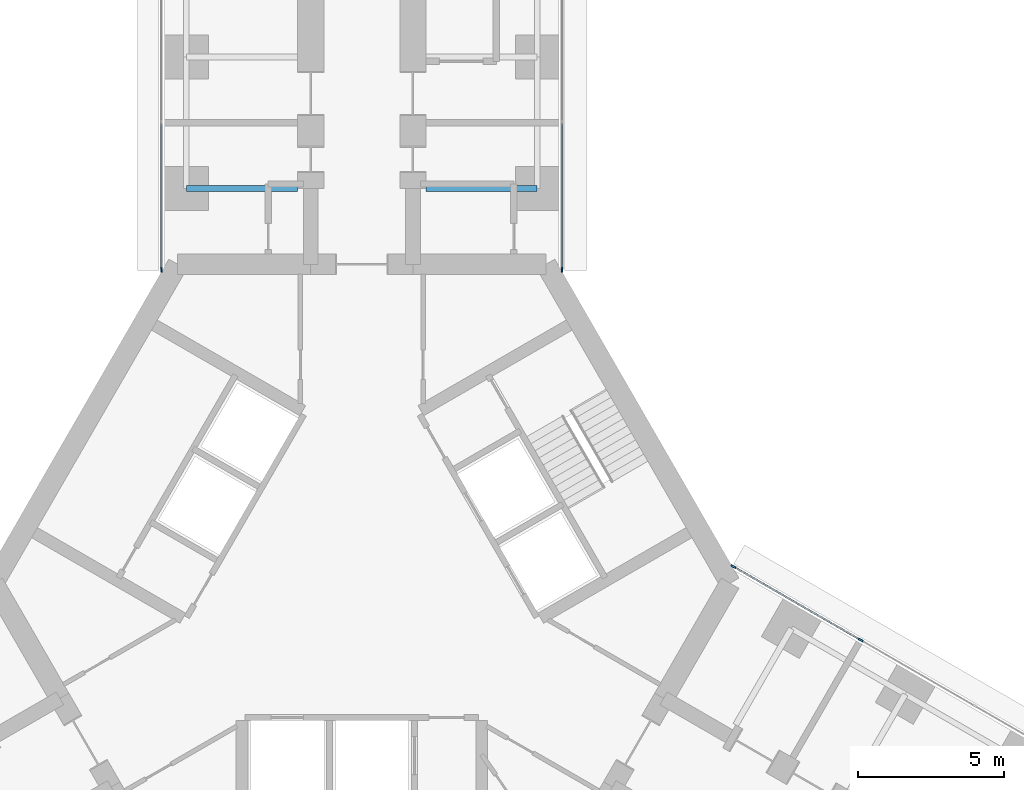
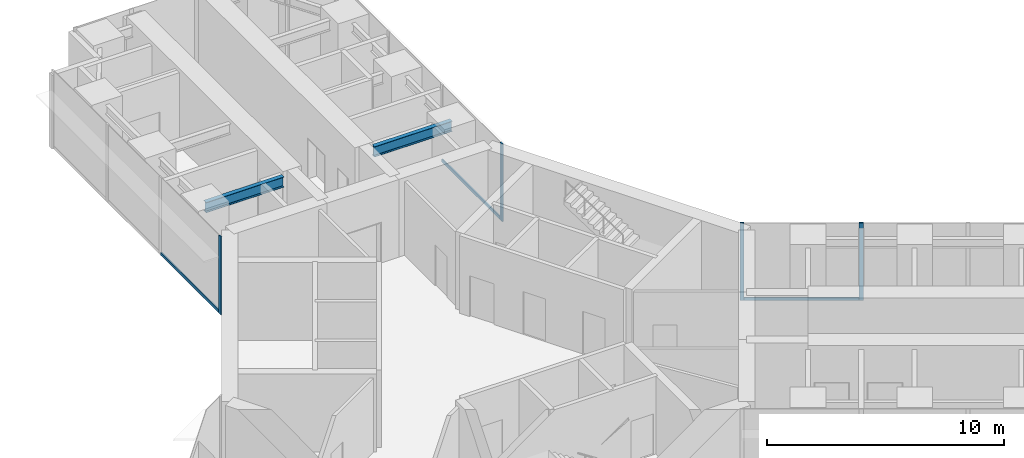
# One storey, part 11 of 22: 7 members, 2 beams, 3 elements without a shape of their own.
"""IFC4 building model written with IfcOpenShell, lengths in metres."""

import ifcopenshell
import ifcopenshell.guid

model = None  # the IFC model being written
_history = None  # IfcOwnerHistory: only IFC2X3 demands one
_inside = {}  # id of a spatial element -> (the spatial element, [elements in it])
_under = {}  # id of a project, library or spatial element -> (it, [spatial elements below it])
_declared = {}  # id of a project -> (the project, [libraries it declares])
_typed = {}  # id of a type object -> (the type object, [elements of that type])
_made_of = {}  # id of a material, layer set ... -> (it, [elements and type objects made of it])


def new_model(schema):
    """Start an empty IFC model of exactly this schema.

    Asked for "IFC4X3", IfcOpenShell would pick the latest addendum, in which some entities
    have other attributes; the version numbers below select the first issue.
    IFC2X3 requires an IfcOwnerHistory on every rooted entity: one is made here for all.
    """
    global model, _history
    if schema == "IFC4X3":
        model = ifcopenshell.file(schema_version=(4, 3, 0, 0))
    else:
        model = ifcopenshell.file(schema=schema)
    _inside.clear()
    _under.clear()
    _declared.clear()
    _typed.clear()
    _made_of.clear()
    _history = None
    if model.schema == "IFC2X3":
        org = make("IfcOrganization", Name="unknown")
        user = make(
            "IfcPersonAndOrganization",
            ThePerson=make("IfcPerson", FamilyName="unknown"),
            TheOrganization=org,
        )
        app = make(
            "IfcApplication",
            ApplicationDeveloper=org,
            Version="unknown",
            ApplicationFullName="unknown",
            ApplicationIdentifier="unknown",
        )
        _history = make(
            "IfcOwnerHistory",
            OwningUser=user,
            OwningApplication=app,
            ChangeAction="ADDED",
            CreationDate=0,
        )
    return model


def make(cls, **values):
    """One entity of the class cls with the attributes given. An attribute that is None is left unset."""
    return model.create_entity(
        cls, **{name: value for name, value in values.items() if value is not None}
    )


def rooted(cls, **values):
    """An entity with a GlobalId (a new one), such as an element, a storey or a relation."""
    return make(cls, GlobalId=ifcopenshell.guid.new(), OwnerHistory=_history, **values)


def si_unit(unit_type, name, prefix=None):
    """IfcSIUnit, for example si_unit("LENGTHUNIT", "METRE", prefix="MILLI")."""
    return make("IfcSIUnit", UnitType=unit_type, Prefix=prefix, Name=name)


def assignment(units):
    """IfcUnitAssignment: the units of a project."""
    return None if units is None else make("IfcUnitAssignment", Units=units)


def point(xyz):
    """IfcCartesianPoint."""
    return None if xyz is None else make("IfcCartesianPoint", Coordinates=xyz)


def direction(xyz):
    """IfcDirection."""
    return None if xyz is None else make("IfcDirection", DirectionRatios=xyz)


def frame(location, z_axis=None, x_axis=None):
    """IfcAxis2Placement3D, a coordinate frame: its origin and axes. An axis left out is left unset."""
    return make(
        "IfcAxis2Placement3D",
        Location=point(location),
        Axis=direction(z_axis),
        RefDirection=direction(x_axis),
    )


def frame_2d(location, x_axis=None):
    """IfcAxis2Placement2D, a coordinate frame in the plane: its origin and x axis."""
    return make(
        "IfcAxis2Placement2D", Location=point(location), RefDirection=direction(x_axis)
    )


def origin():
    """The frame at (0, 0, 0) with its axes left unset."""
    return frame((0.0, 0.0, 0.0))


def origin_2d():
    """The frame at (0, 0) in the plane with its x axis left unset."""
    return frame_2d((0.0, 0.0))


def place(relative_to, where):
    """IfcLocalPlacement: puts the frame where relative to a parent placement (None: the world)."""
    return make(
        "IfcLocalPlacement", PlacementRelTo=relative_to, RelativePlacement=where
    )


def context(
    kind, dimensions, precision=None, world=None, true_north=None, identifier=None
):
    """IfcGeometricRepresentationContext, for example the 3D "Model" context."""
    return make(
        "IfcGeometricRepresentationContext",
        ContextIdentifier=identifier,
        ContextType=kind,
        CoordinateSpaceDimension=dimensions,
        Precision=precision,
        WorldCoordinateSystem=world,
        TrueNorth=true_north,
    )


def subcontext(parent, identifier, kind, view, scale=None):
    """IfcGeometricRepresentationSubContext, for example "Body" below "Model"."""
    return make(
        "IfcGeometricRepresentationSubContext",
        ContextIdentifier=identifier,
        ContextType=kind,
        ParentContext=parent,
        TargetScale=scale,
        TargetView=view,
    )


def project(units=None, contexts=None):
    """IfcProject with its units and contexts."""
    return rooted(
        "IfcProject",
        Name="project",
        RepresentationContexts=contexts,
        UnitsInContext=assignment(units),
    )


def spatial(cls, under=None, at=None, **own):
    """A site, building, storey or space (cls), placed at a placement, below another one or the project."""
    s = rooted(cls, ObjectPlacement=at, **own)
    if under is not None:
        _under.setdefault(under.id(), (under, []))[1].append(s)
    return s


def profile(cls, at=None, kind="AREA", **sizes):
    """A parametric profile (cls). Its sizes go by their IFC names, for example OverallWidth=200.0."""
    return make(cls, ProfileType=kind, Position=at, **sizes)


def rectangle(**sizes):
    """IfcRectangleProfileDef."""
    return profile("IfcRectangleProfileDef", **sizes)


def i_section(**sizes):
    """IfcIShapeProfileDef."""
    return profile("IfcIShapeProfileDef", **sizes)


def extrude(swept, where, along, depth):
    """IfcExtrudedAreaSolid: the profile swept, set in the frame where, extruded along a direction by depth."""
    return make(
        "IfcExtrudedAreaSolid",
        SweptArea=swept,
        Position=where,
        ExtrudedDirection=direction(along),
        Depth=depth,
    )


def shape(context_of_items, identifier, shape_type, items):
    """IfcShapeRepresentation: the items that make up one representation, for example the "Body"."""
    return make(
        "IfcShapeRepresentation",
        ContextOfItems=context_of_items,
        RepresentationIdentifier=identifier,
        RepresentationType=shape_type,
        Items=items,
    )


def material(Name=None, Category=None):
    """IfcMaterial."""
    return make("IfcMaterial", Name=Name, Category=Category)


def material_profile(
    of_material, cross_section, Name=None, Category=None, Priority=None
):
    """IfcMaterialProfile: a cross section and its material."""
    return make(
        "IfcMaterialProfile",
        Name=Name,
        Material=of_material,
        Profile=cross_section,
        Priority=Priority,
        Category=Category,
    )


def profile_set(profiles, Name=None, composite=None):
    """IfcMaterialProfileSet."""
    return make(
        "IfcMaterialProfileSet",
        Name=Name,
        MaterialProfiles=profiles,
        CompositeProfile=composite,
    )


def made_of(thing, what):
    """Note that an element or type object is made of a material, layer set ...; save() writes the relation."""
    if what is not None:
        _made_of.setdefault(what.id(), (what, []))[1].append(thing)
    return thing


def type_object(cls, material=None, **own):
    """A type object (cls), such as IfcWallType, which elements share."""
    return made_of(rooted(cls, **own), material)


def element(
    cls,
    number,
    at=None,
    inside=None,
    cuts=None,
    type_object=None,
    material=None,
    context=None,
    identifier="Body",
    shape_type=None,
    held_by="IfcProductDefinitionShape",
    body=None,
    shapes=None,
    **own,
):
    """One element of the class cls, such as IfcWall. Its Tag is "e" and its number.

    at: its placement. inside: the storey or other place that contains it. cuts: it is an
    opening in that element (IfcRelVoidsElement). A single representation is given by context,
    identifier, shape_type and body (its items); several are given by shapes. held_by: the class
    of the entity that holds the representations. save() writes the other relations.
    """
    e = rooted(cls, Tag="e%d" % number, ObjectPlacement=at, **own)
    if body is not None:
        shapes = [shape(context, identifier, shape_type, body)]
    if shapes is not None:
        e.Representation = make(held_by, Representations=shapes)
    if inside is not None:
        _inside.setdefault(inside.id(), (inside, []))[1].append(e)
    if cuts is not None:
        rooted(
            "IfcRelVoidsElement", RelatingBuildingElement=cuts, RelatedOpeningElement=e
        )
    if type_object is not None:
        _typed.setdefault(type_object.id(), (type_object, []))[1].append(e)
    return made_of(e, material)


def aggregate(whole, parts):
    """IfcRelAggregates: a whole, such as a stair, and the parts it consists of."""
    return rooted("IfcRelAggregates", RelatingObject=whole, RelatedObjects=parts)


def save(model, path):
    """Write the relations noted so far, then the file.

    IfcRelAggregates (storeys below a building ...), IfcRelContainedInSpatialStructure (elements
    in a storey), IfcRelDefinesByType, IfcRelAssociatesMaterial and IfcRelDeclares: one each for
    every whole, place, type object, material and project.
    """
    for whole, parts in _under.values():
        aggregate(whole, parts)
    for where, things in _inside.values():
        rooted(
            "IfcRelContainedInSpatialStructure",
            RelatedElements=things,
            RelatingStructure=where,
        )
    for kind, things in _typed.values():
        rooted("IfcRelDefinesByType", RelatedObjects=things, RelatingType=kind)
    for what, things in _made_of.values():
        rooted("IfcRelAssociatesMaterial", RelatedObjects=things, RelatingMaterial=what)
    for by, libraries in _declared.values():
        rooted("IfcRelDeclares", RelatingContext=by, RelatedDefinitions=libraries)
    model.write(path)


model = new_model("IFC4")

# Units and contexts
model_context = context("Model", 3, precision=1e-05, world=origin(), true_north=direction((0.0, 1.0)))
body_context = subcontext(model_context, "Body", "Model", "MODEL_VIEW")
ifc_project = project(units=[si_unit("LENGTHUNIT", "METRE"), si_unit("AREAUNIT", "SQUARE_METRE"), si_unit("VOLUMEUNIT", "CUBIC_METRE"), si_unit("PLANEANGLEUNIT", "RADIAN"), si_unit("MASSUNIT", "GRAM", prefix="KILO")], contexts=[model_context])

# Site, building, storey
site_placement = place(None, origin())
site = spatial("IfcSite", under=ifc_project, at=site_placement, CompositionType="ELEMENT")
building_placement = place(site_placement, origin())
building = spatial("IfcBuilding", under=site, at=building_placement, Name="Upepo Twin Towers", CompositionType="ELEMENT")
storey_placement = place(building_placement, frame((0.0, 0.0, 36.5)))
storey = spatial("IfcBuildingStorey", under=building, at=storey_placement, Name="L08", CompositionType="ELEMENT", Elevation=36.5)

# Beams
ifc_material_1 = material(Name="Steel S355", Category="steel")
ifc_material_profile_1 = material_profile(ifc_material_1, i_section(OverallWidth=0.209228515625, OverallDepth=0.533203125, WebThickness=0.010009765625, FlangeThickness=0.015625, FilletRadius=0.0126953125, at=origin_2d()), Name="UB 533x210x92")
ifc_profile_set_1 = profile_set([ifc_material_profile_1], Name="Steel S355")
beam_type = type_object("IfcBeamType", Name="Beam UB 533x210x92", PredefinedType="BEAM", material=ifc_profile_set_1)
for number, where, z_axis, x_axis, name in (
    (1, (52.5, -4.5, 3.533447265625), (1.0, 0.0, 0.0), (0.0, 1.0, 0.0), "T2 girder AL at 13.5"),
    (2, (64.5, -4.5, 3.533447265625), (-1.0, 0.0, 0.0), (0.0, -1.0, 0.0), "T2 girder AR at 13.5"),
):
    element("IfcBeam", number, at=place(storey_placement, frame(where, z_axis=z_axis, x_axis=x_axis)), inside=storey, type_object=beam_type, Name=name, PredefinedType="BEAM", context=body_context, shape_type="SweptSolid", body=[
        extrude(i_section(OverallWidth=0.209228515625, OverallDepth=0.533203125, WebThickness=0.010009765625, FlangeThickness=0.015625, FilletRadius=0.0126953125, at=origin_2d()), origin(), (0.0, 0.0, 1.0), 3.800048828125),
    ])

# Curtain wall, member
ifc_material_2 = material(Name="Aluminium and fritted glass", Category="aluminium")
curtain_wall_type = type_object("IfcCurtainWallType", Name="Tower curtain wall TW1, fritted glass", PredefinedType="NOTDEFINED", material=ifc_material_2)
curtain_wall_1_placement = place(storey_placement, origin())
curtain_wall_1 = element("IfcCurtainWall", 3, at=curtain_wall_1_placement, inside=storey, type_object=curtain_wall_type, Name="T2 L08 wing A flank L curtain wall", PredefinedType="NOTDEFINED")
ifc_material_3 = material(Name="Aluminium mullion", Category="aluminium")
ifc_material_profile_2 = material_profile(ifc_material_3, rectangle(XDim=0.06494140625, YDim=0.179931640625, at=origin_2d()), Name="MULLION 65x180")
ifc_profile_set_2 = profile_set([ifc_material_profile_2], Name="Aluminium mullion")
member_type_1 = type_object("IfcMemberType", Name="Mullion 65x180 TW1", PredefinedType="MULLION", material=ifc_profile_set_2)
member_1_placement = place(storey_placement, frame((51.64990234375, -7.2802734375, 0.0), z_axis=(0.0, 0.0, 1.0), x_axis=(-1.0, 0.0, 0.0)))
member_1 = element("IfcMember", 4, at=member_1_placement, type_object=member_type_1, Name="T2 L08 wing A flank L curtain wall mullion 1", PredefinedType="MULLION", context=body_context, shape_type="SweptSolid", body=[
    extrude(rectangle(XDim=0.06494140625, YDim=0.179931640625, at=origin_2d()), origin(), (0.0, 0.0, 1.0), 4.0),
])

curtain_wall_2_placement = place(storey_placement, origin())
curtain_wall_2 = element("IfcCurtainWall", 5, at=curtain_wall_2_placement, inside=storey, type_object=curtain_wall_type, Name="T2 L08 wing A flank R curtain wall", PredefinedType="NOTDEFINED")
member_2_placement = place(storey_placement, frame((65.35009765625, -7.2802734375, 0.0), z_axis=(0.0, 0.0, 1.0), x_axis=(1.0, 0.0, 0.0)))
member_2 = element("IfcMember", 6, at=member_2_placement, type_object=member_type_1, Name="T2 L08 wing A flank R curtain wall mullion 4", PredefinedType="MULLION", context=body_context, shape_type="SweptSolid", body=[
    extrude(rectangle(XDim=0.06494140625, YDim=0.179931640625, at=origin_2d()), origin(), (0.0, 0.0, 1.0), 4.0),
])

# Curtain wall, members
curtain_wall_3_placement = place(storey_placement, origin())
curtain_wall_3 = element("IfcCurtainWall", 7, at=curtain_wall_3_placement, inside=storey, type_object=curtain_wall_type, Name="T2 L08 wing C flank L curtain wall", PredefinedType="NOTDEFINED")
member_3_placement = place(storey_placement, frame((71.20849609375, -17.427490234375, 0.0), z_axis=(0.0, 0.0, 1.0), x_axis=(0.500000024426, 0.866025389682, 0.0)))
member_3 = element("IfcMember", 8, at=member_3_placement, type_object=member_type_1, Name="T2 L08 wing C flank L curtain wall mullion 1", PredefinedType="MULLION", context=body_context, shape_type="SweptSolid", body=[
    extrude(rectangle(XDim=0.06494140625, YDim=0.179931640625, at=origin_2d()), origin(), (0.0, 0.0, 1.0), 4.0),
])
member_4_placement = place(storey_placement, frame((75.56494140625, -19.942626953125, 0.0), z_axis=(0.0, 0.0, 1.0), x_axis=(0.500000024426, 0.866025389682, 0.0)))
member_4 = element("IfcMember", 9, at=member_4_placement, type_object=member_type_1, Name="T2 L08 wing C flank L curtain wall mullion 2", PredefinedType="MULLION", context=body_context, shape_type="SweptSolid", body=[
    extrude(rectangle(XDim=0.06494140625, YDim=0.179931640625, at=origin_2d()), origin(), (0.0, 0.0, 1.0), 4.0),
])

# Member
ifc_material_4 = material(Name="Aluminium transom", Category="aluminium")
ifc_material_profile_3 = material_profile(ifc_material_4, rectangle(XDim=0.06494140625, YDim=0.14990234375, at=origin_2d()), Name="TRANSOM 65x150")
ifc_profile_set_3 = profile_set([ifc_material_profile_3], Name="Aluminium transom")
member_type_2 = type_object("IfcMemberType", Name="Transom 65x150 TW1", PredefinedType="USERDEFINED", material=ifc_profile_set_3)
member_5_placement = place(storey_placement, frame((51.64990234375, -7.247802734375, 0.074951171875), z_axis=(0.0, 1.0, 0.0), x_axis=(-1.0, 0.0, 0.0)))
member_5 = element("IfcMember", 10, at=member_5_placement, type_object=member_type_2, Name="T2 L08 wing A flank L curtain wall transom 1", ObjectType="TRANSOM", PredefinedType="USERDEFINED", context=body_context, shape_type="SweptSolid", body=[
    extrude(rectangle(XDim=0.06494140625, YDim=0.14990234375, at=origin_2d()), origin(), (0.0, 0.0, 1.0), 4.96533203125),
])

aggregate(curtain_wall_1, [member_1, member_5])

member_6_placement = place(storey_placement, frame((65.35009765625, -2.282470703125, 0.074951171875), z_axis=(0.0, -1.0, 0.0), x_axis=(1.0, 0.0, 0.0)))
member_6 = element("IfcMember", 11, at=member_6_placement, type_object=member_type_2, Name="T2 L08 wing A flank R curtain wall transom 3", ObjectType="TRANSOM", PredefinedType="USERDEFINED", context=body_context, shape_type="SweptSolid", body=[
    extrude(rectangle(XDim=0.06494140625, YDim=0.14990234375, at=origin_2d()), origin(), (0.0, 0.0, 1.0), 4.96533203125),
])

aggregate(curtain_wall_2, [member_2, member_6])

member_7_placement = place(storey_placement, frame((71.236572265625, -17.44384765625, 0.074951171875), z_axis=(0.866034933967, -0.499983492876, 0.0), x_axis=(0.499983492876, 0.866034933967, 0.0)))
member_7 = element("IfcMember", 12, at=member_7_placement, type_object=member_type_2, Name="T2 L08 wing C flank L curtain wall transom 1", ObjectType="TRANSOM", PredefinedType="USERDEFINED", context=body_context, shape_type="SweptSolid", body=[
    extrude(rectangle(XDim=0.06494140625, YDim=0.14990234375, at=origin_2d()), origin(), (0.0, 0.0, 1.0), 4.965576171875),
])

aggregate(curtain_wall_3, [member_3, member_4, member_7])

save(model, "model.ifc")
